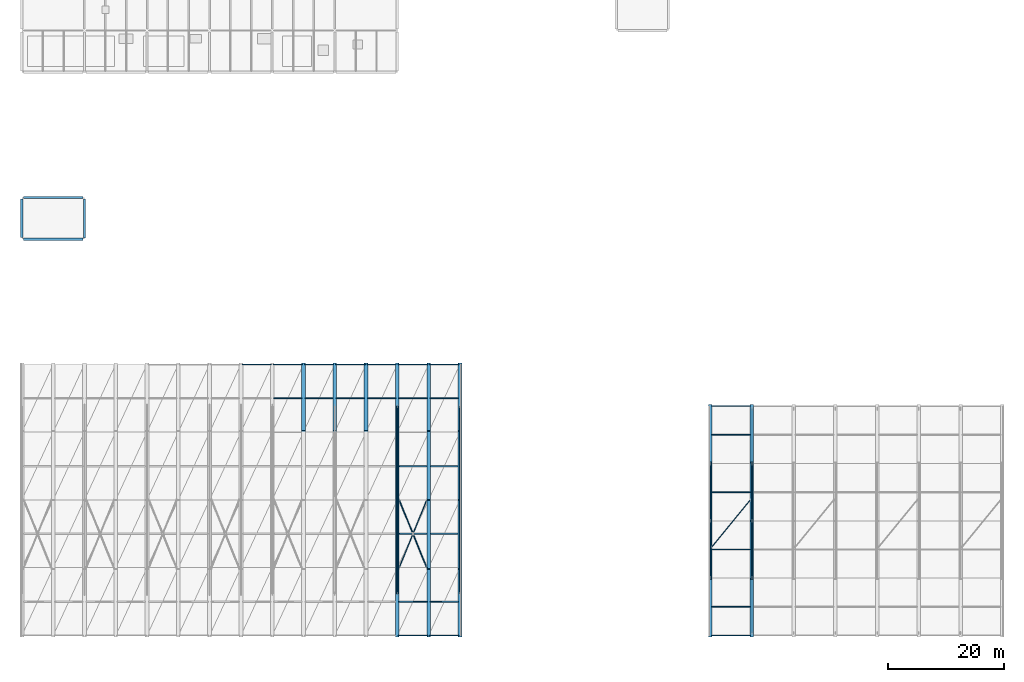
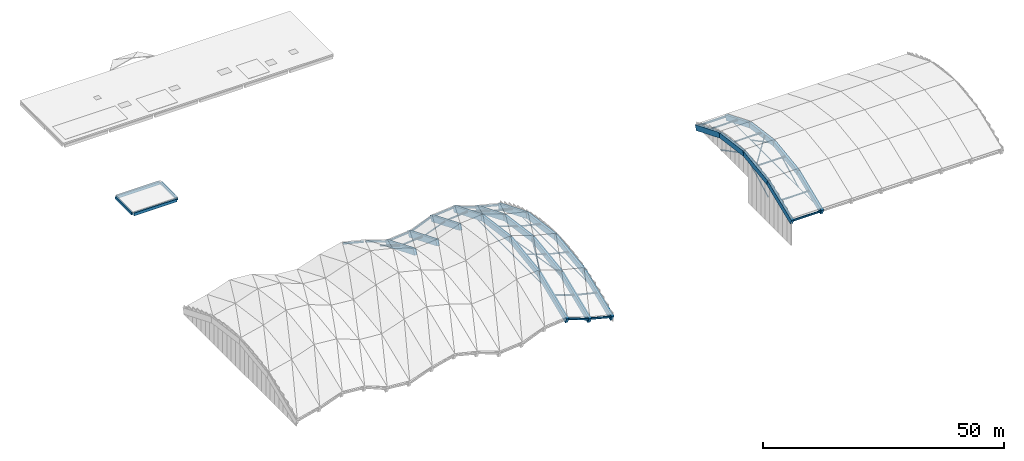
# One storey, part 3 of 22: 38 beams, 27 members.
"""IFC4 building model written with IfcOpenShell, lengths in metres."""

from ifc_helpers import new_model, si_unit, direction, frame, origin, origin_2d, place, context, subcontext, project, spatial, rectangle, hollow_rectangle, hollow_circle, i_section, extrude, material, material_profile, profile_set, type_object, element, save


model = new_model("IFC4")

# Units and contexts
model_context = context("Model", 3, precision=1e-05, world=origin(), true_north=direction((0.0, 1.0)))
body_context = subcontext(model_context, "Body", "Model", "MODEL_VIEW")
ifc_project = project(units=[si_unit("LENGTHUNIT", "METRE"), si_unit("AREAUNIT", "SQUARE_METRE"), si_unit("VOLUMEUNIT", "CUBIC_METRE"), si_unit("PLANEANGLEUNIT", "RADIAN"), si_unit("MASSUNIT", "GRAM", prefix="KILO")], contexts=[model_context])

# Site, building, storey
site_placement = place(None, origin())
site = spatial("IfcSite", under=ifc_project, at=site_placement, CompositionType="ELEMENT")
building_placement = place(site_placement, origin())
building = spatial("IfcBuilding", under=site, at=building_placement, Name="Lusvemor Sports Hall", CompositionType="ELEMENT")
storey_placement = place(building_placement, frame((0.0, 0.0, 23.39990234375)))
storey = spatial("IfcBuildingStorey", under=building, at=storey_placement, Name="Roof", CompositionType="ELEMENT", Elevation=23.39990234375)

# Beams
ifc_material_1 = material(Name="Concrete C40/50", Category="concrete")
ifc_material_profile_1 = material_profile(ifc_material_1, rectangle(XDim=0.64990234375, YDim=1.449951171875, at=origin_2d()), Name="RC650x1450")
ifc_profile_set_1 = profile_set([ifc_material_profile_1], Name="Concrete C40/50")
beam_type_1 = type_object("IfcBeamType", Name="ARCH_RIB_V1", PredefinedType="T_BEAM", material=ifc_profile_set_1)
for number, where, z_axis, x_axis, name in (
    (1, (48.60009765625, 35.10009765625, -6.887939453125), (0.0, 0.924542194829, -0.381079689804), (-1.0, 0.0, 0.0), "Wave Barrel-Vault Arch Rib S09 Seg 4"),
    (2, (54.0, 35.10009765625, -6.427490234375), (0.0, 0.924542194829, -0.381079689804), (-1.0, 0.0, 0.0), "Wave Barrel-Vault Arch Rib S10 Seg 4"),
    (3, (59.39990234375, 35.10009765625, -4.357421875), (0.0, 0.924542194829, -0.381079689804), (-1.0, 0.0, 0.0), "Wave Barrel-Vault Arch Rib S11 Seg 4"),
    (4, (64.800048828125, 0.0, -8.71923828125), (0.0, 0.924542194829, 0.381079689804), (-1.0, 0.0, 0.0), "Wave Barrel-Vault Arch Rib S12 Seg 1"),
):
    element("IfcBeam", number, at=place(storey_placement, frame(where, z_axis=z_axis, x_axis=x_axis)), inside=storey, type_object=beam_type_1, Name=name, PredefinedType="T_BEAM", context=body_context, shape_type="SweptSolid", body=[
        extrude(rectangle(XDim=0.64990234375, YDim=1.449951171875, at=origin_2d()), origin(), (0.0, 0.0, 1.0), 12.65478515625),
    ])
beam_1_placement = place(storey_placement, frame((64.800048828125, 11.699951171875, -3.896728515625), z_axis=(0.0, 0.990693933235, 0.136108525268), x_axis=(-1.0, 0.0, 0.0)))
element("IfcBeam", 5, at=beam_1_placement, inside=storey, type_object=beam_type_1, Name="Wave Barrel-Vault Arch Rib S12 Seg 2", PredefinedType="T_BEAM", context=body_context, shape_type="SweptSolid", body=[
    extrude(rectangle(XDim=0.64990234375, YDim=1.449951171875, at=origin_2d()), origin(), (0.0, 0.0, 1.0), 11.809814453125),
])
beam_2_placement = place(storey_placement, frame((64.800048828125, 23.39990234375, -2.289306640625), z_axis=(0.0, 0.990694316195, -0.13610573779), x_axis=(-1.0, 0.0, 0.0)))
element("IfcBeam", 6, at=beam_2_placement, inside=storey, type_object=beam_type_1, Name="Wave Barrel-Vault Arch Rib S12 Seg 3", PredefinedType="T_BEAM", context=body_context, shape_type="SweptSolid", body=[
    extrude(rectangle(XDim=0.64990234375, YDim=1.449951171875, at=origin_2d()), origin(), (0.0, 0.0, 1.0), 11.81005859375),
])
for number, where, z_axis, x_axis, name in (
    (7, (64.800048828125, 35.10009765625, -3.896728515625), (0.0, 0.924542194829, -0.381079689804), (-1.0, 0.0, 0.0), "Wave Barrel-Vault Arch Rib S12 Seg 4"),
    (8, (70.199951171875, 0.0, -10.584228515625), (0.0, 0.924542194829, 0.381079689804), (-1.0, 0.0, 0.0), "Wave Barrel-Vault Arch Rib S13 Seg 1"),
):
    element("IfcBeam", number, at=place(storey_placement, frame(where, z_axis=z_axis, x_axis=x_axis)), inside=storey, type_object=beam_type_1, Name=name, PredefinedType="T_BEAM", context=body_context, shape_type="SweptSolid", body=[
        extrude(rectangle(XDim=0.64990234375, YDim=1.449951171875, at=origin_2d()), origin(), (0.0, 0.0, 1.0), 12.65478515625),
    ])
beam_3_placement = place(storey_placement, frame((70.199951171875, 11.699951171875, -5.76171875), z_axis=(0.0, 0.990693933235, 0.136108525268), x_axis=(-1.0, 0.0, 0.0)))
element("IfcBeam", 9, at=beam_3_placement, inside=storey, type_object=beam_type_1, Name="Wave Barrel-Vault Arch Rib S13 Seg 2", PredefinedType="T_BEAM", context=body_context, shape_type="SweptSolid", body=[
    extrude(rectangle(XDim=0.64990234375, YDim=1.449951171875, at=origin_2d()), origin(), (0.0, 0.0, 1.0), 11.809814453125),
])
beam_4_placement = place(storey_placement, frame((70.199951171875, 23.39990234375, -4.154296875), z_axis=(0.0, 0.990694316195, -0.13610573779), x_axis=(-1.0, 0.0, 0.0)))
element("IfcBeam", 10, at=beam_4_placement, inside=storey, type_object=beam_type_1, Name="Wave Barrel-Vault Arch Rib S13 Seg 3", PredefinedType="T_BEAM", context=body_context, shape_type="SweptSolid", body=[
    extrude(rectangle(XDim=0.64990234375, YDim=1.449951171875, at=origin_2d()), origin(), (0.0, 0.0, 1.0), 11.81005859375),
])
for number, where, z_axis, x_axis, name in (
    (11, (70.199951171875, 35.10009765625, -5.76171875), (0.0, 0.924542194829, -0.381079689804), (-1.0, 0.0, 0.0), "Wave Barrel-Vault Arch Rib S13 Seg 4"),
    (12, (75.60009765625, 0.0, -11.875), (0.0, 0.924542194829, 0.381079689804), (-1.0, 0.0, 0.0), "Wave Barrel-Vault Arch Rib S14 Seg 1"),
):
    element("IfcBeam", number, at=place(storey_placement, frame(where, z_axis=z_axis, x_axis=x_axis)), inside=storey, type_object=beam_type_1, Name=name, PredefinedType="T_BEAM", context=body_context, shape_type="SweptSolid", body=[
        extrude(rectangle(XDim=0.64990234375, YDim=1.449951171875, at=origin_2d()), origin(), (0.0, 0.0, 1.0), 12.65478515625),
    ])
beam_5_placement = place(storey_placement, frame((75.60009765625, 11.699951171875, -7.052490234375), z_axis=(0.0, 0.9906911455, 0.13612881483), x_axis=(-1.0, 0.0, 0.0)))
element("IfcBeam", 13, at=beam_5_placement, inside=storey, type_object=beam_type_1, Name="Wave Barrel-Vault Arch Rib S14 Seg 2", PredefinedType="T_BEAM", context=body_context, shape_type="SweptSolid", body=[
    extrude(rectangle(XDim=0.64990234375, YDim=1.449951171875, at=origin_2d()), origin(), (0.0, 0.0, 1.0), 11.809814453125),
])
beam_6_placement = place(storey_placement, frame((75.60009765625, 23.39990234375, -5.44482421875), z_axis=(0.0, 0.990691528573, -0.136126026952), x_axis=(-1.0, 0.0, 0.0)))
element("IfcBeam", 14, at=beam_6_placement, inside=storey, type_object=beam_type_1, Name="Wave Barrel-Vault Arch Rib S14 Seg 3", PredefinedType="T_BEAM", context=body_context, shape_type="SweptSolid", body=[
    extrude(rectangle(XDim=0.64990234375, YDim=1.449951171875, at=origin_2d()), origin(), (0.0, 0.0, 1.0), 11.81005859375),
])
beam_7_placement = place(storey_placement, frame((75.60009765625, 35.10009765625, -7.052490234375), z_axis=(0.0, 0.924542194829, -0.381079689804), x_axis=(-1.0, 0.0, 0.0)))
element("IfcBeam", 15, at=beam_7_placement, inside=storey, type_object=beam_type_1, Name="Wave Barrel-Vault Arch Rib S14 Seg 4", PredefinedType="T_BEAM", context=body_context, shape_type="SweptSolid", body=[
    extrude(rectangle(XDim=0.64990234375, YDim=1.449951171875, at=origin_2d()), origin(), (0.0, 0.0, 1.0), 12.65478515625),
])
ifc_material_2 = material(Name="Concrete C40/50", Category="concrete")
ifc_material_profile_2 = material_profile(ifc_material_2, rectangle(XDim=0.60009765625, YDim=1.300048828125, at=origin_2d()), Name="RC600x1300")
ifc_profile_set_2 = profile_set([ifc_material_profile_2], Name="Concrete C40/50")
beam_type_2 = type_object("IfcBeamType", Name="ARCH_RIB_V2", PredefinedType="T_BEAM", material=ifc_profile_set_2)
beam_8_placement = place(storey_placement, frame((118.800048828125, 0.0, -2.58984375), z_axis=(0.0, 0.925544047536, 0.378639955723), x_axis=(-1.0, 0.0, 0.0)))
element("IfcBeam", 16, at=beam_8_placement, inside=storey, type_object=beam_type_2, Name="East Vault Arch Rib 13 Seg 1", PredefinedType="T_BEAM", context=body_context, shape_type="SweptSolid", body=[
    extrude(rectangle(XDim=0.60009765625, YDim=1.300048828125, at=origin_2d()), origin(), (0.0, 0.0, 1.0), 10.6962890625),
])
beam_9_placement = place(storey_placement, frame((118.800048828125, 9.89990234375, 1.460205078125), z_axis=(0.0, 0.990832398214, 0.135096849146), x_axis=(-1.0, 0.0, 0.0)))
element("IfcBeam", 17, at=beam_9_placement, inside=storey, type_object=beam_type_2, Name="East Vault Arch Rib 13 Seg 2", PredefinedType="T_BEAM", context=body_context, shape_type="SweptSolid", body=[
    extrude(rectangle(XDim=0.60009765625, YDim=1.300048828125, at=origin_2d()), origin(), (0.0, 0.0, 1.0), 9.99169921875),
])
beam_10_placement = place(storey_placement, frame((118.800048828125, 19.800048828125, 2.81005859375), z_axis=(0.0, 0.990831952245, -0.13510011995), x_axis=(-1.0, 0.0, 0.0)))
element("IfcBeam", 18, at=beam_10_placement, inside=storey, type_object=beam_type_2, Name="East Vault Arch Rib 13 Seg 3", PredefinedType="T_BEAM", context=body_context, shape_type="SweptSolid", body=[
    extrude(rectangle(XDim=0.60009765625, YDim=1.300048828125, at=origin_2d()), origin(), (0.0, 0.0, 1.0), 9.991455078125),
])
beam_11_placement = place(storey_placement, frame((118.800048828125, 29.699951171875, 1.460205078125), z_axis=(0.0, 0.925547319778, -0.378631956987), x_axis=(-1.0, 0.0, 0.0)))
element("IfcBeam", 19, at=beam_11_placement, inside=storey, type_object=beam_type_2, Name="East Vault Arch Rib 13 Seg 4", PredefinedType="T_BEAM", context=body_context, shape_type="SweptSolid", body=[
    extrude(rectangle(XDim=0.60009765625, YDim=1.300048828125, at=origin_2d()), origin(), (0.0, 0.0, 1.0), 10.696533203125),
])
beam_12_placement = place(storey_placement, frame((126.0, 0.0, -2.58984375), z_axis=(0.0, 0.925544047536, 0.378639955723), x_axis=(-1.0, 0.0, 0.0)))
element("IfcBeam", 20, at=beam_12_placement, inside=storey, type_object=beam_type_2, Name="East Vault Arch Rib 14 Seg 1", PredefinedType="T_BEAM", context=body_context, shape_type="SweptSolid", body=[
    extrude(rectangle(XDim=0.60009765625, YDim=1.300048828125, at=origin_2d()), origin(), (0.0, 0.0, 1.0), 10.6962890625),
])
beam_13_placement = place(storey_placement, frame((126.0, 9.89990234375, 1.460205078125), z_axis=(0.0, 0.990832398214, 0.135096849146), x_axis=(-1.0, 0.0, 0.0)))
element("IfcBeam", 21, at=beam_13_placement, inside=storey, type_object=beam_type_2, Name="East Vault Arch Rib 14 Seg 2", PredefinedType="T_BEAM", context=body_context, shape_type="SweptSolid", body=[
    extrude(rectangle(XDim=0.60009765625, YDim=1.300048828125, at=origin_2d()), origin(), (0.0, 0.0, 1.0), 9.99169921875),
])
beam_14_placement = place(storey_placement, frame((126.0, 19.800048828125, 2.81005859375), z_axis=(0.0, 0.990831952245, -0.13510011995), x_axis=(-1.0, 0.0, 0.0)))
element("IfcBeam", 22, at=beam_14_placement, inside=storey, type_object=beam_type_2, Name="East Vault Arch Rib 14 Seg 3", PredefinedType="T_BEAM", context=body_context, shape_type="SweptSolid", body=[
    extrude(rectangle(XDim=0.60009765625, YDim=1.300048828125, at=origin_2d()), origin(), (0.0, 0.0, 1.0), 9.991455078125),
])
beam_15_placement = place(storey_placement, frame((126.0, 29.699951171875, 1.460205078125), z_axis=(0.0, 0.925547319778, -0.378631956987), x_axis=(-1.0, 0.0, 0.0)))
element("IfcBeam", 23, at=beam_15_placement, inside=storey, type_object=beam_type_2, Name="East Vault Arch Rib 14 Seg 4", PredefinedType="T_BEAM", context=body_context, shape_type="SweptSolid", body=[
    extrude(rectangle(XDim=0.60009765625, YDim=1.300048828125, at=origin_2d()), origin(), (0.0, 0.0, 1.0), 10.696533203125),
])

# Members
ifc_material_3 = material(Name="Steel S355", Category="steel")
ifc_material_profile_3 = material_profile(ifc_material_3, hollow_circle(Radius=0.084228515625, WallThickness=0.008056640625, at=origin_2d()), Name="CHS168.3x8.0")
ifc_profile_set_3 = profile_set([ifc_material_profile_3], Name="Steel S355")
member_type_1 = type_object("IfcMemberType", Name="BRACE_ROOF_168", PredefinedType="BRACE", material=ifc_profile_set_3)
for number, where, z_axis, x_axis, name in (
    (24, (65.1201171875, 23.39990234375, -2.13427734375), (0.363359918134, -0.893140687566, -0.265083537979), (0.926277861493, 0.37684124417, 0.0), "Wave Roof Brace 13-B1"),
    (25, (67.58349609375, 17.344482421875, -3.931396484375), (0.363359918134, -0.893140687566, -0.265083537979), (0.926277861493, 0.37684124417, 0.0), "Wave Roof Brace 13-B2"),
):
    element("IfcMember", number, at=place(storey_placement, frame(where, z_axis=z_axis, x_axis=x_axis)), inside=storey, type_object=member_type_1, Name=name, PredefinedType="BRACE", context=body_context, shape_type="SweptSolid", body=[
        extrude(hollow_circle(Radius=0.084228515625, WallThickness=0.008056640625, at=origin_2d()), origin(), (0.0, 0.0, 1.0), 6.31982421875),
    ])
member_1_placement = place(storey_placement, frame((119.090087890625, 15.300048828125, 2.611083984375), z_axis=(0.632791590025, 0.774262459239, 0.009614978244), x_axis=(-0.774298251154, 0.632820842151, 0.0)))
element("IfcMember", 26, at=member_1_placement, inside=storey, type_object=member_type_1, Name="East Vault Roof Brace 13", PredefinedType="BRACE", context=body_context, shape_type="SweptSolid", body=[
    extrude(hollow_circle(Radius=0.084228515625, WallThickness=0.008056640625, at=origin_2d()), origin(), (0.0, 0.0, 1.0), 10.46142578125),
])
ifc_material_4 = material(Name="Steel S355", Category="steel")
ifc_material_profile_4 = material_profile(ifc_material_4, hollow_circle(Radius=0.096923828125, WallThickness=0.010009765625, at=origin_2d()), Name="CHS193.7x10.0")
ifc_profile_set_4 = profile_set([ifc_material_profile_4], Name="Steel S355")
member_type_2 = type_object("IfcMemberType", Name="BRACE_ROOF_193", PredefinedType="BRACE", material=ifc_profile_set_4)
member_2_placement = place(storey_placement, frame((65.1201171875, 11.699951171875, -3.74169921875), z_axis=(0.376751289186, 0.926090071382, -0.020387392803), x_axis=(-0.926282594117, 0.376829611145, 0.0)))
element("IfcMember", 27, at=member_2_placement, inside=storey, type_object=member_type_2, Name="Wave Roof Brace 13-A", PredefinedType="BRACE", context=body_context, shape_type="SweptSolid", body=[
    extrude(hollow_circle(Radius=0.096923828125, WallThickness=0.010009765625, at=origin_2d()), origin(), (0.0, 0.0, 1.0), 12.6337890625),
])
ifc_material_5 = material(Name="Steel S355", Category="steel")
ifc_material_profile_5 = material_profile(ifc_material_5, i_section(OverallWidth=0.14599609375, OverallDepth=0.258056640625, WebThickness=0.006103515625, FlangeThickness=0.009033203125, FilletRadius=0.012939453125, at=origin_2d()), Name="W250x32.7")
ifc_profile_set_5 = profile_set([ifc_material_profile_5], Name="Steel S355")
member_type_3 = type_object("IfcMemberType", Name="PURL_V2_250", PredefinedType="PURLIN", material=ifc_profile_set_5)
for number, where, z_axis, x_axis, name in (
    (28, (119.090087890625, 4.949951171875, -0.128662109375), (1.0, 0.0, 0.0), (0.0, 1.0, 0.0), "East Vault Purlin 13-1"),
    (29, (119.090087890625, 14.85009765625, 2.61669921875), (1.0, 0.0, 0.0), (0.0, 1.0, 0.0), "East Vault Purlin 13-2"),
    (30, (119.090087890625, 24.75, 2.61669921875), (1.0, 0.0, 0.0), (0.0, 1.0, 0.0), "East Vault Purlin 13-3"),
    (31, (119.090087890625, 34.64990234375, -0.128662109375), (1.0, 0.0, 0.0), (0.0, 1.0, 0.0), "East Vault Purlin 13-4"),
):
    element("IfcMember", number, at=place(storey_placement, frame(where, z_axis=z_axis, x_axis=x_axis)), inside=storey, type_object=member_type_3, Name=name, PredefinedType="PURLIN", context=body_context, shape_type="SweptSolid", body=[
        extrude(i_section(OverallWidth=0.14599609375, OverallDepth=0.258056640625, WebThickness=0.006103515625, FlangeThickness=0.009033203125, FilletRadius=0.012939453125, at=origin_2d()), origin(), (0.0, 0.0, 1.0), 6.619873046875),
    ])
ifc_material_6 = material(Name="Steel S355", Category="steel")
ifc_material_profile_6 = material_profile(ifc_material_6, i_section(OverallWidth=0.14794921875, OverallDepth=0.26611328125, WebThickness=0.007568359375, FlangeThickness=0.012939453125, FilletRadius=0.012939453125, at=origin_2d()), Name="W250x44.8")
ifc_profile_set_6 = profile_set([ifc_material_profile_6], Name="Steel S355")
member_type_4 = type_object("IfcMemberType", Name="PURL_WAVE_250", PredefinedType="PURLIN", material=ifc_profile_set_6)
member_3_placement = place(storey_placement, frame((43.52001953125, 40.949951171875, -7.0283203125), z_axis=(0.945210062385, 0.0, -0.326462766585), x_axis=(0.0, 1.0, 0.0)))
element("IfcMember", 32, at=member_3_placement, inside=storey, type_object=member_type_4, Name="Wave Roof Purlin 09-4", PredefinedType="PURLIN", context=body_context, shape_type="SweptSolid", body=[
    extrude(i_section(OverallWidth=0.14794921875, OverallDepth=0.26611328125, WebThickness=0.007568359375, FlangeThickness=0.012939453125, FilletRadius=0.012939453125, at=origin_2d()), origin(), (0.0, 0.0, 1.0), 5.035888671875),
])
member_4_placement = place(storey_placement, frame((48.919921875, 40.949951171875, -8.738525390625), z_axis=(0.996382095668, 0.0, 0.084986583838), x_axis=(0.0, 1.0, 0.0)))
element("IfcMember", 33, at=member_4_placement, inside=storey, type_object=member_type_4, Name="Wave Roof Purlin 10-4", PredefinedType="PURLIN", context=body_context, shape_type="SweptSolid", body=[
    extrude(i_section(OverallWidth=0.14794921875, OverallDepth=0.26611328125, WebThickness=0.007568359375, FlangeThickness=0.012939453125, FilletRadius=0.012939453125, at=origin_2d()), origin(), (0.0, 0.0, 1.0), 4.77734375),
])
member_5_placement = place(storey_placement, frame((54.320068359375, 40.949951171875, -8.20361328125), z_axis=(0.933759722314, 0.0, 0.357900518277), x_axis=(0.0, 1.0, 0.0)))
element("IfcMember", 34, at=member_5_placement, inside=storey, type_object=member_type_4, Name="Wave Roof Purlin 11-4", PredefinedType="PURLIN", context=body_context, shape_type="SweptSolid", body=[
    extrude(i_section(OverallWidth=0.14794921875, OverallDepth=0.26611328125, WebThickness=0.007568359375, FlangeThickness=0.012939453125, FilletRadius=0.012939453125, at=origin_2d()), origin(), (0.0, 0.0, 1.0), 5.09765625),
])
member_6_placement = place(storey_placement, frame((59.719970703125, 40.949951171875, -6.2080078125), z_axis=(0.996382095668, 0.0, 0.084986583838), x_axis=(0.0, 1.0, 0.0)))
element("IfcMember", 35, at=member_6_placement, inside=storey, type_object=member_type_4, Name="Wave Roof Purlin 12-4", PredefinedType="PURLIN", context=body_context, shape_type="SweptSolid", body=[
    extrude(i_section(OverallWidth=0.14794921875, OverallDepth=0.26611328125, WebThickness=0.007568359375, FlangeThickness=0.012939453125, FilletRadius=0.012939453125, at=origin_2d()), origin(), (0.0, 0.0, 1.0), 4.77734375),
])
for number, where, z_axis, x_axis, name in (
    (36, (65.1201171875, 5.85009765625, -5.902099609375), (0.945204895156, 0.0, -0.326477726917), (0.0, 1.0, 0.0), "Wave Roof Purlin 13-1"),
    (37, (65.1201171875, 40.949951171875, -5.902099609375), (0.945204895156, 0.0, -0.326477726917), (0.0, 1.0, 0.0), "Wave Roof Purlin 13-4"),
):
    element("IfcMember", number, at=place(storey_placement, frame(where, z_axis=z_axis, x_axis=x_axis)), inside=storey, type_object=member_type_4, Name=name, PredefinedType="PURLIN", context=body_context, shape_type="SweptSolid", body=[
        extrude(i_section(OverallWidth=0.14794921875, OverallDepth=0.26611328125, WebThickness=0.007568359375, FlangeThickness=0.012939453125, FilletRadius=0.012939453125, at=origin_2d()), origin(), (0.0, 0.0, 1.0), 5.03564453125),
    ])
for number, where, z_axis, x_axis, name in (
    (38, (70.52001953125, 5.85009765625, -7.723876953125), (0.972616410146, 0.0, -0.232416261726), (0.0, 1.0, 0.0), "Wave Roof Purlin 14-1"),
    (39, (70.52001953125, 40.949951171875, -7.723876953125), (0.972616410146, 0.0, -0.232416261726), (0.0, 1.0, 0.0), "Wave Roof Purlin 14-4"),
):
    element("IfcMember", number, at=place(storey_placement, frame(where, z_axis=z_axis, x_axis=x_axis)), inside=storey, type_object=member_type_4, Name=name, PredefinedType="PURLIN", context=body_context, shape_type="SweptSolid", body=[
        extrude(i_section(OverallWidth=0.14794921875, OverallDepth=0.26611328125, WebThickness=0.007568359375, FlangeThickness=0.012939453125, FilletRadius=0.012939453125, at=origin_2d()), origin(), (0.0, 0.0, 1.0), 4.89404296875),
    ])
ifc_material_7 = material(Name="Steel S355", Category="steel")
ifc_material_profile_7 = material_profile(ifc_material_7, i_section(OverallWidth=0.25390625, OverallDepth=0.2529296875, WebThickness=0.008544921875, FlangeThickness=0.01416015625, FilletRadius=0.012939453125, at=origin_2d()), Name="W250x73.0")
ifc_profile_set_7 = profile_set([ifc_material_profile_7], Name="Steel S355")
member_type_5 = type_object("IfcMemberType", Name="PURL_WAVE_250H", PredefinedType="PURLIN", material=ifc_profile_set_7)
for number, where, z_axis, x_axis, name in (
    (40, (65.1201171875, 17.550048828125, -2.669921875), (0.945219855378, 0.0, -0.326434411482), (0.0, 1.0, 0.0), "Wave Roof Purlin 13-2"),
    (41, (65.1201171875, 29.25, -2.669921875), (0.945219855378, 0.0, -0.326434411482), (0.0, 1.0, 0.0), "Wave Roof Purlin 13-3"),
):
    element("IfcMember", number, at=place(storey_placement, frame(where, z_axis=z_axis, x_axis=x_axis)), inside=storey, type_object=member_type_5, Name=name, PredefinedType="PURLIN", context=body_context, shape_type="SweptSolid", body=[
        extrude(i_section(OverallWidth=0.25390625, OverallDepth=0.2529296875, WebThickness=0.008544921875, FlangeThickness=0.01416015625, FilletRadius=0.012939453125, at=origin_2d()), origin(), (0.0, 0.0, 1.0), 5.03564453125),
    ])
for number, where, z_axis, x_axis, name in (
    (42, (70.52001953125, 17.550048828125, -4.490966796875), (0.972616410146, 0.0, -0.232416261726), (0.0, 1.0, 0.0), "Wave Roof Purlin 14-2"),
    (43, (70.52001953125, 29.25, -4.490966796875), (0.972616410146, 0.0, -0.232416261726), (0.0, 1.0, 0.0), "Wave Roof Purlin 14-3"),
):
    element("IfcMember", number, at=place(storey_placement, frame(where, z_axis=z_axis, x_axis=x_axis)), inside=storey, type_object=member_type_5, Name=name, PredefinedType="PURLIN", context=body_context, shape_type="SweptSolid", body=[
        extrude(i_section(OverallWidth=0.25390625, OverallDepth=0.2529296875, WebThickness=0.008544921875, FlangeThickness=0.01416015625, FilletRadius=0.012939453125, at=origin_2d()), origin(), (0.0, 0.0, 1.0), 4.89404296875),
    ])

# Beams
ifc_material_8 = material(Name="Concrete C40/50", Category="concrete")
ifc_material_profile_8 = material_profile(ifc_material_8, rectangle(XDim=0.39990234375, YDim=0.610107421875, at=origin_2d()), Name="RC400x610")
ifc_profile_set_8 = profile_set([ifc_material_profile_8], Name="Concrete C40/50")
beam_type_3 = type_object("IfcBeamType", Name="SPAND_EXT_650", PredefinedType="SPANDREL", material=ifc_profile_set_8)
beam_16_placement = place(storey_placement, frame((0.0, 68.666015625, -0.534912109375), z_axis=(0.0, 1.0, 0.0), x_axis=(-1.0, 0.0, 0.0)))
element("IfcBeam", 44, at=beam_16_placement, inside=storey, type_object=beam_type_3, Name="Beam Roof 1:J-K", PredefinedType="SPANDREL", context=body_context, shape_type="SweptSolid", body=[
    extrude(rectangle(XDim=0.39990234375, YDim=0.610107421875, at=origin_2d()), origin(), (0.0, 0.0, 1.0), 6.66796875),
])
beam_17_placement = place(storey_placement, frame((10.800048828125, 68.64599609375, -0.534912109375), z_axis=(0.0, 1.0, 0.0), x_axis=(-1.0, 0.0, 0.0)))
element("IfcBeam", 45, at=beam_17_placement, inside=storey, type_object=beam_type_3, Name="Beam Roof 2:J-K", PredefinedType="SPANDREL", context=body_context, shape_type="SweptSolid", body=[
    extrude(rectangle(XDim=0.39990234375, YDim=0.610107421875, at=origin_2d()), origin(), (0.0, 0.0, 1.0), 6.7080078125),
])
ifc_material_9 = material(Name="Concrete C40/50", Category="concrete")
ifc_material_profile_9 = material_profile(ifc_material_9, rectangle(XDim=0.39990234375, YDim=0.699951171875, at=origin_2d()), Name="RC400x700")
ifc_profile_set_9 = profile_set([ifc_material_profile_9], Name="Concrete C40/50")
beam_type_4 = type_object("IfcBeamType", Name="SPAND_EXT_700", PredefinedType="SPANDREL", material=ifc_profile_set_9)
for number, where, z_axis, x_axis, name in (
    (46, (0.236083984375, 68.39990234375, -0.579833984375), (1.0, 0.0, 0.0), (0.0, 1.0, 0.0), "Beam Roof J:1-2"),
    (47, (0.236083984375, 75.60009765625, -0.579833984375), (1.0, 0.0, 0.0), (0.0, 1.0, 0.0), "Beam Roof K:1-2"),
):
    element("IfcBeam", number, at=place(storey_placement, frame(where, z_axis=z_axis, x_axis=x_axis)), inside=storey, type_object=beam_type_4, Name=name, PredefinedType="SPANDREL", context=body_context, shape_type="SweptSolid", body=[
        extrude(rectangle(XDim=0.39990234375, YDim=0.699951171875, at=origin_2d()), origin(), (0.0, 0.0, 1.0), 10.31787109375),
    ])
ifc_material_10 = material(Name="Steel S355", Category="steel")
ifc_material_profile_10 = material_profile(ifc_material_10, i_section(OverallWidth=0.19189453125, OverallDepth=0.462890625, WebThickness=0.010498046875, FlangeThickness=0.017578125, FilletRadius=0.01806640625, at=origin_2d()), Name="W460x89.0")
ifc_profile_set_10 = profile_set([ifc_material_profile_10], Name="Steel S355")
beam_type_5 = type_object("IfcBeamType", Name="SPAND_WAVE_EAVE", PredefinedType="SPANDREL", material=ifc_profile_set_10)
beam_18_placement = place(storey_placement, frame((38.02001953125, 46.800048828125, -8.1416015625), z_axis=(0.967777943077, 0.0, -0.251805188379), x_axis=(0.0, 1.0, 0.0)))
element("IfcBeam", 48, at=beam_18_placement, inside=storey, type_object=beam_type_5, Name="Wave Eave Spandrel N-08", PredefinedType="SPANDREL", context=body_context, shape_type="SweptSolid", body=[
    extrude(i_section(OverallWidth=0.19189453125, OverallDepth=0.462890625, WebThickness=0.010498046875, FlangeThickness=0.017578125, FilletRadius=0.01806640625, at=origin_2d()), origin(), (0.0, 0.0, 1.0), 5.125),
])
beam_19_placement = place(storey_placement, frame((43.419921875, 46.800048828125, -9.4443359375), z_axis=(0.936018292282, 0.0, -0.351951355323), x_axis=(0.0, 1.0, 0.0)))
element("IfcBeam", 49, at=beam_19_placement, inside=storey, type_object=beam_type_5, Name="Wave Eave Spandrel N-09", PredefinedType="SPANDREL", context=body_context, shape_type="SweptSolid", body=[
    extrude(i_section(OverallWidth=0.19189453125, OverallDepth=0.462890625, WebThickness=0.010498046875, FlangeThickness=0.017578125, FilletRadius=0.01806640625, at=origin_2d()), origin(), (0.0, 0.0, 1.0), 5.299072265625),
])
beam_20_placement = place(storey_placement, frame((48.820068359375, 46.800048828125, -11.287109375), z_axis=(0.995714135821, 0.0, 0.092484375581), x_axis=(0.0, 1.0, 0.0)))
element("IfcBeam", 50, at=beam_20_placement, inside=storey, type_object=beam_type_5, Name="Wave Eave Spandrel N-10", PredefinedType="SPANDREL", context=body_context, shape_type="SweptSolid", body=[
    extrude(i_section(OverallWidth=0.19189453125, OverallDepth=0.462890625, WebThickness=0.010498046875, FlangeThickness=0.017578125, FilletRadius=0.01806640625, at=origin_2d()), origin(), (0.0, 0.0, 1.0), 4.981201171875),
])
beam_21_placement = place(storey_placement, frame((54.219970703125, 46.800048828125, -10.854248046875), z_axis=(0.922850983776, 0.0, 0.385157190955), x_axis=(0.0, 1.0, 0.0)))
element("IfcBeam", 51, at=beam_21_placement, inside=storey, type_object=beam_type_5, Name="Wave Eave Spandrel N-11", PredefinedType="SPANDREL", context=body_context, shape_type="SweptSolid", body=[
    extrude(i_section(OverallWidth=0.19189453125, OverallDepth=0.462890625, WebThickness=0.010498046875, FlangeThickness=0.017578125, FilletRadius=0.01806640625, at=origin_2d()), origin(), (0.0, 0.0, 1.0), 5.37451171875),
])
beam_22_placement = place(storey_placement, frame((59.6201171875, 46.800048828125, -8.75634765625), z_axis=(0.995714135821, 0.0, 0.092484375581), x_axis=(0.0, 1.0, 0.0)))
element("IfcBeam", 52, at=beam_22_placement, inside=storey, type_object=beam_type_5, Name="Wave Eave Spandrel N-12", PredefinedType="SPANDREL", context=body_context, shape_type="SweptSolid", body=[
    extrude(i_section(OverallWidth=0.19189453125, OverallDepth=0.462890625, WebThickness=0.010498046875, FlangeThickness=0.017578125, FilletRadius=0.01806640625, at=origin_2d()), origin(), (0.0, 0.0, 1.0), 4.981201171875),
])
for number, where, z_axis, x_axis, name in (
    (53, (65.02001953125, 0.0, -8.318115234375), (0.936018292282, 0.0, -0.351951355323), (0.0, 1.0, 0.0), "Wave Eave Spandrel S-13"),
    (54, (65.02001953125, 46.800048828125, -8.318115234375), (0.936018292282, 0.0, -0.351951355323), (0.0, 1.0, 0.0), "Wave Eave Spandrel N-13"),
):
    element("IfcBeam", number, at=place(storey_placement, frame(where, z_axis=z_axis, x_axis=x_axis)), inside=storey, type_object=beam_type_5, Name=name, PredefinedType="SPANDREL", context=body_context, shape_type="SweptSolid", body=[
        extrude(i_section(OverallWidth=0.19189453125, OverallDepth=0.462890625, WebThickness=0.010498046875, FlangeThickness=0.017578125, FilletRadius=0.01806640625, at=origin_2d()), origin(), (0.0, 0.0, 1.0), 5.299072265625),
    ])
for number, where, z_axis, x_axis, name in (
    (55, (70.419921875, 0.0, -10.1708984375), (0.967777943077, 0.0, -0.251805188379), (0.0, 1.0, 0.0), "Wave Eave Spandrel S-14"),
    (56, (70.419921875, 46.800048828125, -10.1708984375), (0.967777943077, 0.0, -0.251805188379), (0.0, 1.0, 0.0), "Wave Eave Spandrel N-14"),
):
    element("IfcBeam", number, at=place(storey_placement, frame(where, z_axis=z_axis, x_axis=x_axis)), inside=storey, type_object=beam_type_5, Name=name, PredefinedType="SPANDREL", context=body_context, shape_type="SweptSolid", body=[
        extrude(i_section(OverallWidth=0.19189453125, OverallDepth=0.462890625, WebThickness=0.010498046875, FlangeThickness=0.017578125, FilletRadius=0.01806640625, at=origin_2d()), origin(), (0.0, 0.0, 1.0), 5.125),
    ])
for number, where, z_axis, x_axis, name in (
    (57, (119.050048828125, 0.0, -2.267578125), (1.0, 0.0, 0.0), (0.0, 1.0, 0.0), "East Vault Eave Spandrel S-13"),
    (58, (119.050048828125, 39.60009765625, -2.267578125), (1.0, 0.0, 0.0), (0.0, 1.0, 0.0), "East Vault Eave Spandrel N-13"),
):
    element("IfcBeam", number, at=place(storey_placement, frame(where, z_axis=z_axis, x_axis=x_axis)), inside=storey, type_object=beam_type_5, Name=name, PredefinedType="SPANDREL", context=body_context, shape_type="SweptSolid", body=[
        extrude(i_section(OverallWidth=0.19189453125, OverallDepth=0.462890625, WebThickness=0.010498046875, FlangeThickness=0.017578125, FilletRadius=0.01806640625, at=origin_2d()), origin(), (0.0, 0.0, 1.0), 6.699951171875),
    ])

# Members
ifc_material_11 = material(Name="Steel S355", Category="steel")
ifc_material_profile_11 = material_profile(ifc_material_11, hollow_rectangle(XDim=0.10009765625, YDim=0.199951171875, WallThickness=0.008056640625, InnerFilletRadius=0.008056640625, OuterFilletRadius=0.01611328125, at=origin_2d()), Name="RHS200x100x8")
ifc_profile_set_11 = profile_set([ifc_material_profile_11], Name="Steel S355")
member_type_6 = type_object("IfcMemberType", Name="STRUT_VAULT_200", PredefinedType="STRUT", material=ifc_profile_set_11)
member_7_placement = place(storey_placement, frame((118.800048828125, 9.949951171875, -2.294921875), z_axis=(0.0, 0.886884852218, 0.461990539844), x_axis=(-1.0, 0.0, 0.0)))
element("IfcMember", 59, at=member_7_placement, inside=storey, type_object=member_type_6, Name="East Vault Arch Crown Strut 13-L", PredefinedType="STRUT", context=body_context, shape_type="SweptSolid", body=[
    extrude(hollow_rectangle(XDim=0.10009765625, YDim=0.199951171875, WallThickness=0.008056640625, InnerFilletRadius=0.008056640625, OuterFilletRadius=0.01611328125, at=origin_2d()), origin(), (0.0, 0.0, 1.0), 11.050048828125),
])
member_8_placement = place(storey_placement, frame((118.800048828125, 29.64990234375, -2.294921875), z_axis=(0.0, -0.88688013639, 0.461999592723), x_axis=(1.0, 0.0, 0.0)))
element("IfcMember", 60, at=member_8_placement, inside=storey, type_object=member_type_6, Name="East Vault Arch Crown Strut 13-R", PredefinedType="STRUT", context=body_context, shape_type="SweptSolid", body=[
    extrude(hollow_rectangle(XDim=0.10009765625, YDim=0.199951171875, WallThickness=0.008056640625, InnerFilletRadius=0.008056640625, OuterFilletRadius=0.01611328125, at=origin_2d()), origin(), (0.0, 0.0, 1.0), 11.0498046875),
])
member_9_placement = place(storey_placement, frame((126.0, 0.43994140625, -2.309814453125), z_axis=(0.0, 1.0, 0.0), x_axis=(-1.0, 0.0, 0.0)))
element("IfcMember", 61, at=member_9_placement, inside=storey, type_object=member_type_6, Name="East Vault Arch Tie 14", PredefinedType="STRUT", context=body_context, shape_type="SweptSolid", body=[
    extrude(hollow_rectangle(XDim=0.10009765625, YDim=0.199951171875, WallThickness=0.008056640625, InnerFilletRadius=0.008056640625, OuterFilletRadius=0.01611328125, at=origin_2d()), origin(), (0.0, 0.0, 1.0), 38.719970703125),
])
member_10_placement = place(storey_placement, frame((126.0, 9.949951171875, -2.309814453125), z_axis=(0.0, 0.886332347182, 0.463049641333), x_axis=(-1.0, 0.0, 0.0)))
element("IfcMember", 62, at=member_10_placement, inside=storey, type_object=member_type_6, Name="East Vault Arch Crown Strut 14-L", PredefinedType="STRUT", context=body_context, shape_type="SweptSolid", body=[
    extrude(hollow_rectangle(XDim=0.10009765625, YDim=0.199951171875, WallThickness=0.008056640625, InnerFilletRadius=0.008056640625, OuterFilletRadius=0.01611328125, at=origin_2d()), origin(), (0.0, 0.0, 1.0), 11.056884765625),
])
member_11_placement = place(storey_placement, frame((126.0, 29.64990234375, -2.309814453125), z_axis=(0.0, -0.886327612659, 0.463058703664), x_axis=(1.0, 0.0, 0.0)))
element("IfcMember", 63, at=member_11_placement, inside=storey, type_object=member_type_6, Name="East Vault Arch Crown Strut 14-R", PredefinedType="STRUT", context=body_context, shape_type="SweptSolid", body=[
    extrude(hollow_rectangle(XDim=0.10009765625, YDim=0.199951171875, WallThickness=0.008056640625, InnerFilletRadius=0.008056640625, OuterFilletRadius=0.01611328125, at=origin_2d()), origin(), (0.0, 0.0, 1.0), 11.056640625),
])
ifc_material_12 = material(Name="Steel S355", Category="steel")
ifc_material_profile_12 = material_profile(ifc_material_12, hollow_rectangle(XDim=0.1201171875, YDim=0.219970703125, WallThickness=0.010009765625, InnerFilletRadius=0.010009765625, OuterFilletRadius=0.02001953125, at=origin_2d()), Name="RHS220x120x10")
ifc_profile_set_12 = profile_set([ifc_material_profile_12], Name="Steel S355")
member_type_7 = type_object("IfcMemberType", Name="STRUT_VAULT_220", PredefinedType="STRUT", material=ifc_profile_set_12)
for number, where, z_axis, x_axis, name in (
    (64, (64.800048828125, 7.199951171875, -5.751708984375), (0.0, 1.0, 0.0), (-1.0, 0.0, 0.0), "Barrel-Vault Arch Tie S12"),
    (65, (75.60009765625, 7.199951171875, -8.9072265625), (0.0, 1.0, 0.0), (-1.0, 0.0, 0.0), "Barrel-Vault Arch Tie S14"),
):
    element("IfcMember", number, at=place(storey_placement, frame(where, z_axis=z_axis, x_axis=x_axis)), inside=storey, type_object=member_type_7, Name=name, PredefinedType="STRUT", context=body_context, shape_type="SweptSolid", body=[
        extrude(hollow_rectangle(XDim=0.1201171875, YDim=0.219970703125, WallThickness=0.010009765625, InnerFilletRadius=0.010009765625, OuterFilletRadius=0.02001953125, at=origin_2d()), origin(), (0.0, 0.0, 1.0), 32.400146484375),
    ])

save(model, "model.ifc")
